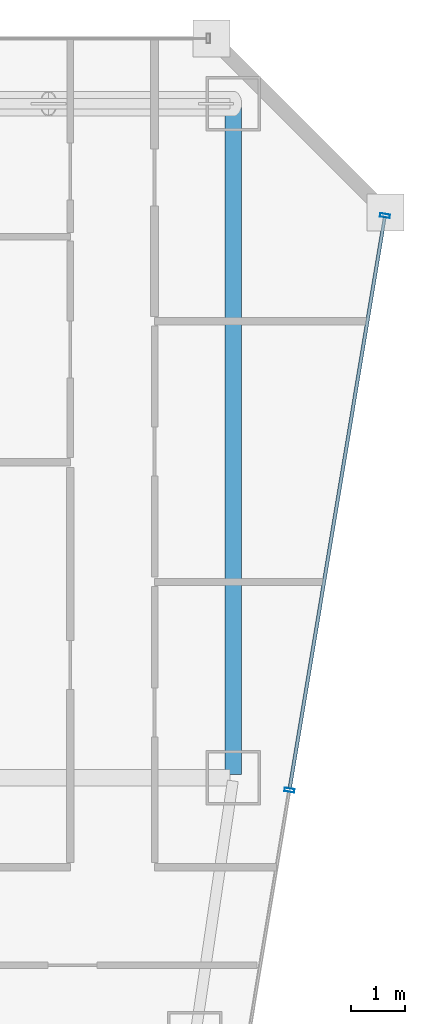
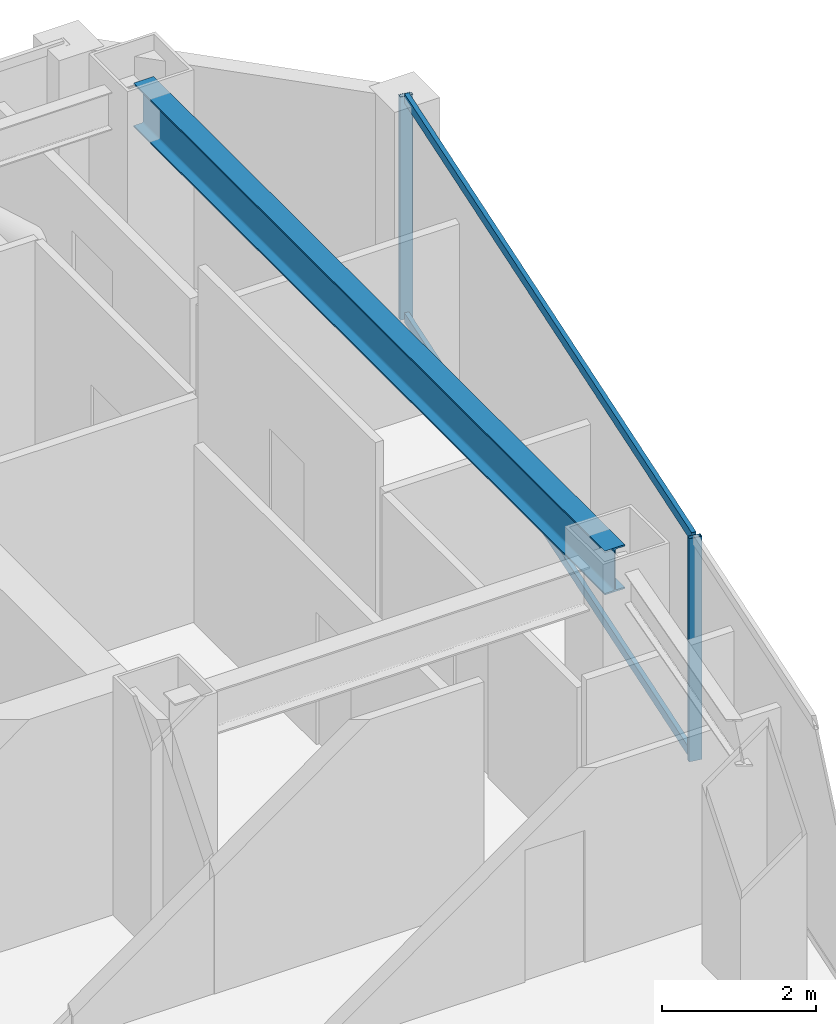
# One storey, part 27 of 38: 4 members, 1 beam, 1 element without a shape of its own.
"""IFC4 building model written with IfcOpenShell, lengths in metres."""

from ifc_helpers import new_model, si_unit, direction, frame, origin, origin_2d, place, context, subcontext, project, spatial, hollow_rectangle, i_section, extrude, material, material_profile, profile_set, type_object, element, aggregate, save


model = new_model("IFC4")

# Units and contexts
model_context = context("Model", 3, precision=1e-05, world=origin(), true_north=direction((0.0, 1.0)))
body_context = subcontext(model_context, "Body", "Model", "MODEL_VIEW")
ifc_project = project(units=[si_unit("LENGTHUNIT", "METRE"), si_unit("AREAUNIT", "SQUARE_METRE"), si_unit("VOLUMEUNIT", "CUBIC_METRE"), si_unit("PLANEANGLEUNIT", "RADIAN"), si_unit("MASSUNIT", "GRAM", prefix="KILO")], contexts=[model_context])

# Site, building, storey
site_placement = place(None, origin())
site = spatial("IfcSite", under=ifc_project, at=site_placement, CompositionType="ELEMENT")
building_placement = place(site_placement, origin())
building = spatial("IfcBuilding", under=site, at=building_placement, Name="Saevonmaru Cultural Tower", CompositionType="ELEMENT")
storey_placement = place(building_placement, frame((0.0, 0.0, 133.39990234375)))
storey = spatial("IfcBuildingStorey", under=building, at=storey_placement, Name="L28", CompositionType="ELEMENT", Elevation=133.39990234375)

# Beam
ifc_material_1 = material(Name="Steel SM355", Category="steel")
ifc_material_profile_1 = material_profile(ifc_material_1, i_section(OverallWidth=0.300048828125, OverallDepth=0.699951171875, WebThickness=0.012939453125, FlangeThickness=0.02392578125, FilletRadius=0.02587890625, at=origin_2d()), Name="H-700x300x13x24")
ifc_profile_set_1 = profile_set([ifc_material_profile_1], Name="Steel SM355")
beam_type = type_object("IfcBeamType", Name="BM-G-H700", PredefinedType="BEAM", material=ifc_profile_set_1)
beam_placement = place(storey_placement, frame((53.199951171875, 54.739990234375, 3.2001953125), z_axis=(0.0, -1.0, 0.0), x_axis=(1.0, 0.0, 0.0)))
element("IfcBeam", 1, at=beam_placement, inside=storey, type_object=beam_type, Name="L28 Spine Transverse Girder E", PredefinedType="BEAM", context=body_context, shape_type="SweptSolid", body=[
    extrude(i_section(OverallWidth=0.300048828125, OverallDepth=0.699951171875, WebThickness=0.012939453125, FlangeThickness=0.02392578125, FilletRadius=0.02587890625, at=origin_2d()), origin(), (0.0, 0.0, 1.0), 12.280029296875),
])

# Curtain wall, members
ifc_material_2 = material(Name="Satin Bronze Anodised Aluminium", Category="aluminium")
curtain_wall_type = type_object("IfcCurtainWallType", Name="CW-TYP-A", PredefinedType="NOTDEFINED", material=ifc_material_2)
curtain_wall_placement = place(storey_placement, origin())
curtain_wall = element("IfcCurtainWall", 2, at=curtain_wall_placement, inside=storey, type_object=curtain_wall_type, Name="L28 Unitised Curtain Wall E8", PredefinedType="NOTDEFINED")
ifc_material_profile_2 = material_profile(ifc_material_2, hollow_rectangle(XDim=0.06494140625, YDim=0.179931640625, WallThickness=0.00390625, at=origin_2d()), Name="ALU-MULL-180x65x4")
ifc_profile_set_2 = profile_set([ifc_material_profile_2], Name="Satin Bronze Anodised Aluminium")
member_type_1 = type_object("IfcMemberType", Name="ML-CW-180x65", PredefinedType="MULLION", material=ifc_profile_set_2)
member_1_placement = place(storey_placement, frame((54.23291015625, 42.17041015625, 0.0), z_axis=(0.0, 0.0, 1.0), x_axis=(0.163998702345, 0.986460554523, 0.0)))
member_1 = element("IfcMember", 3, at=member_1_placement, type_object=member_type_1, Name="CW-TW-L28-E8 mullion 4", PredefinedType="MULLION", context=body_context, shape_type="SweptSolid", body=[
    extrude(hollow_rectangle(XDim=0.06494140625, YDim=0.179931640625, WallThickness=0.00390625, at=origin_2d()), origin(), (0.0, 0.0, 1.0), 3.550048828125),
])
member_2_placement = place(storey_placement, frame((55.990234375, 52.74072265625, 0.0), z_axis=(0.0, 0.0, 1.0), x_axis=(0.163998702345, 0.986460554523, 0.0)))
member_2 = element("IfcMember", 4, at=member_2_placement, type_object=member_type_1, Name="CW-TW-L28-E8 mullion 5", PredefinedType="MULLION", context=body_context, shape_type="SweptSolid", body=[
    extrude(hollow_rectangle(XDim=0.06494140625, YDim=0.179931640625, WallThickness=0.00390625, at=origin_2d()), origin(), (0.0, 0.0, 1.0), 3.550048828125),
])
ifc_material_profile_3 = material_profile(ifc_material_2, hollow_rectangle(XDim=0.06494140625, YDim=0.14990234375, WallThickness=0.00390625, at=origin_2d()), Name="ALU-TRAN-150x65x4")
ifc_profile_set_3 = profile_set([ifc_material_profile_3], Name="Satin Bronze Anodised Aluminium")
member_type_2 = type_object("IfcMemberType", Name="TR-CW-150x65", PredefinedType="USERDEFINED", material=ifc_profile_set_3)
member_3_placement = place(storey_placement, frame((54.23828125, 42.202392578125, 0.03271484375), z_axis=(0.163990079074, 0.9864619881, 0.0), x_axis=(-0.9864619881, 0.163990079074, 0.0)))
member_3 = element("IfcMember", 5, at=member_3_placement, type_object=member_type_2, Name="CW-TW-L28-E8 transom 4.1", ObjectType="TRANSOM", PredefinedType="USERDEFINED", context=body_context, shape_type="SweptSolid", body=[
    extrude(hollow_rectangle(XDim=0.06494140625, YDim=0.14990234375, WallThickness=0.00390625, at=origin_2d()), origin(), (0.0, 0.0, 1.0), 10.650634765625),
])
member_4_placement = place(storey_placement, frame((54.23828125, 42.202392578125, 3.517578125), z_axis=(0.163990079074, 0.9864619881, 0.0), x_axis=(-0.9864619881, 0.163990079074, 0.0)))
member_4 = element("IfcMember", 6, at=member_4_placement, type_object=member_type_2, Name="CW-TW-L28-E8 transom 4.2", ObjectType="TRANSOM", PredefinedType="USERDEFINED", context=body_context, shape_type="SweptSolid", body=[
    extrude(hollow_rectangle(XDim=0.06494140625, YDim=0.14990234375, WallThickness=0.00390625, at=origin_2d()), origin(), (0.0, 0.0, 1.0), 10.650634765625),
])
aggregate(curtain_wall, [member_1, member_2, member_3, member_4])

save(model, "model.ifc")
